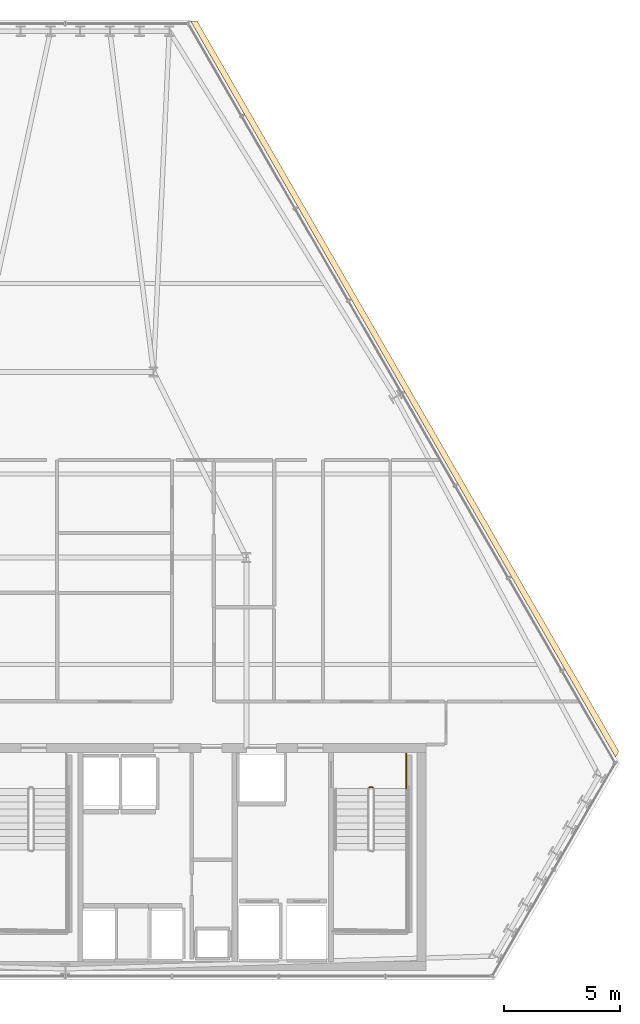
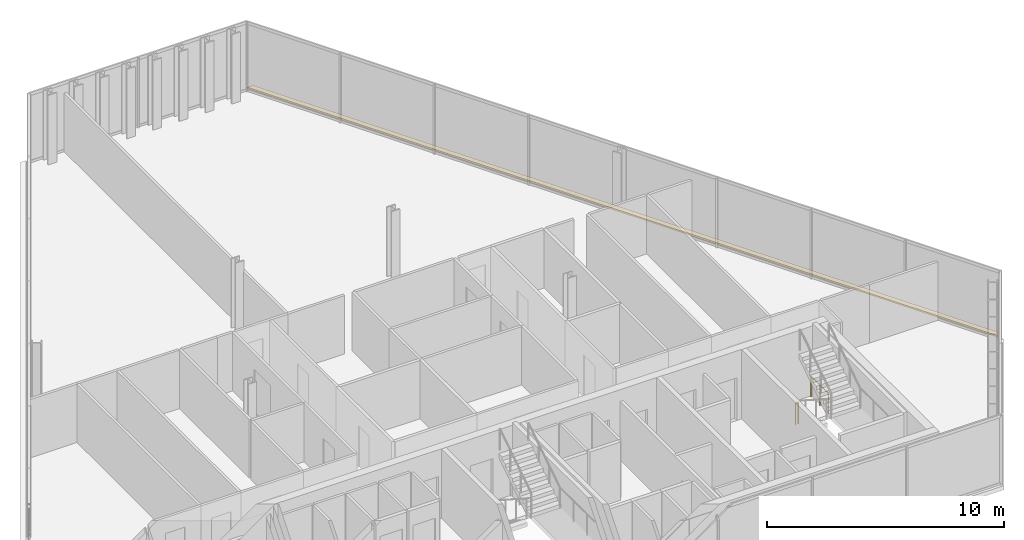
# One storey, part 33 of 33: 2 railings, 1 covering.
"""IFC4 building model written with IfcOpenShell, lengths in metres."""

from ifc_helpers import new_model, si_unit, direction, frame, origin, origin_2d, place, context, subcontext, project, spatial, polyline, circle, outline, extrude, material, layer, layer_set, type_object, element, save


model = new_model("IFC4")

# Units and contexts
model_context = context("Model", 3, precision=1e-05, world=origin(), true_north=direction((0.0, 1.0)))
body_context = subcontext(model_context, "Body", "Model", "MODEL_VIEW")
ifc_project = project(units=[si_unit("LENGTHUNIT", "METRE"), si_unit("AREAUNIT", "SQUARE_METRE"), si_unit("VOLUMEUNIT", "CUBIC_METRE"), si_unit("PLANEANGLEUNIT", "RADIAN"), si_unit("MASSUNIT", "GRAM", prefix="KILO")], contexts=[model_context])

# Site, building, storey
site_placement = place(None, origin())
site = spatial("IfcSite", under=ifc_project, at=site_placement, CompositionType="ELEMENT")
building_placement = place(site_placement, origin())
building = spatial("IfcBuilding", under=site, at=building_placement, Name="Ndaravel Arena Tower", CompositionType="ELEMENT")
storey_placement = place(building_placement, frame((0.0, 0.0, 161.199951171875)))
storey = spatial("IfcBuildingStorey", under=building, at=storey_placement, Name="L38", CompositionType="ELEMENT", Elevation=161.199951171875)

# Covering
ifc_material_1 = material(Name="Roofing Membrane", Category="finish")
ifc_layer_1 = layer(ifc_material_1, 0.080078125)
ifc_layer_set_1 = layer_set([ifc_layer_1], Name="Roofing Membrane")
covering_type = type_object("IfcCoveringType", Name="COV-ROOF-MEMB", PredefinedType="ROOFING", material=ifc_layer_set_1)
covering_placement = place(storey_placement, origin())
element("IfcCovering", 1, at=covering_placement, inside=storey, type_object=covering_type, Name="L38 Facet Setback Weathering Flashing", PredefinedType="ROOFING", context=body_context, shape_type="SweptSolid", body=[
    extrude(outline(polyline([(47.684326171875, 46.313720703125), (65.8525390625, 14.845458984375), (65.711181640625, 14.600830078125), (47.40185546875, 46.313720703125), (47.684326171875, 46.313720703125)])), origin(), (0.0, 0.0, 1.0), 0.080078125),
])

# Railings
ifc_material_2 = material(Name="Steel S355", Category="steel")
ifc_layer_2 = layer(ifc_material_2, 0.06005859375)
ifc_layer_set_2 = layer_set([ifc_layer_2], Name="Steel S355")
railing_type = type_object("IfcRailingType", Name="RAIL-STAIR-GD1100", PredefinedType="GUARDRAIL", material=ifc_layer_set_2)
railing_1_placement = place(storey_placement, frame((55.10009765625, 13.300048828125, 0.0)))
element("IfcRailing", 2, at=railing_1_placement, inside=storey, type_object=railing_type, Name="L38 ST-3 stair guard 4", PredefinedType="GUARDRAIL", context=body_context, shape_type="SweptSolid", body=[
    extrude(circle(Radius=0.02392578125, at=origin_2d()), frame((0.0, 0.0, 1.076171875), z_axis=(1.0, 0.0, 0.0), x_axis=(0.0, 1.0, 0.0)), (0.0, 0.0, 1.0), 0.139892578125),
    extrude(circle(Radius=0.02099609375, at=origin_2d()), origin(), (0.0, 0.0, 1.0), 1.052001953125),
    extrude(circle(Radius=0.02099609375, at=origin_2d()), frame((0.139892578125, 0.0, 0.0)), (0.0, 0.0, 1.0), 1.052001953125),
])
railing_2_placement = place(storey_placement, frame((56.68994140625, 14.75, 0.0)))
element("IfcRailing", 3, at=railing_2_placement, inside=storey, type_object=railing_type, Name="L38 ST-3 stair guard 5", PredefinedType="GUARDRAIL", context=body_context, shape_type="SweptSolid", body=[
    extrude(circle(Radius=0.02392578125, at=origin_2d()), frame((0.0, 0.0, 1.076171875), z_axis=(0.0, -1.0, 0.0), x_axis=(1.0, 0.0, 0.0)), (0.0, 0.0, 1.0), 1.5),
    extrude(circle(Radius=0.02099609375, at=origin_2d()), origin(), (0.0, 0.0, 1.0), 1.052001953125),
    extrude(circle(Radius=0.02099609375, at=origin_2d()), frame((0.0, -0.75, 0.0)), (0.0, 0.0, 1.0), 1.052001953125),
    extrude(circle(Radius=0.02099609375, at=origin_2d()), frame((0.0, -1.5, 0.0)), (0.0, 0.0, 1.0), 1.052001953125),
])

save(model, "model.ifc")
